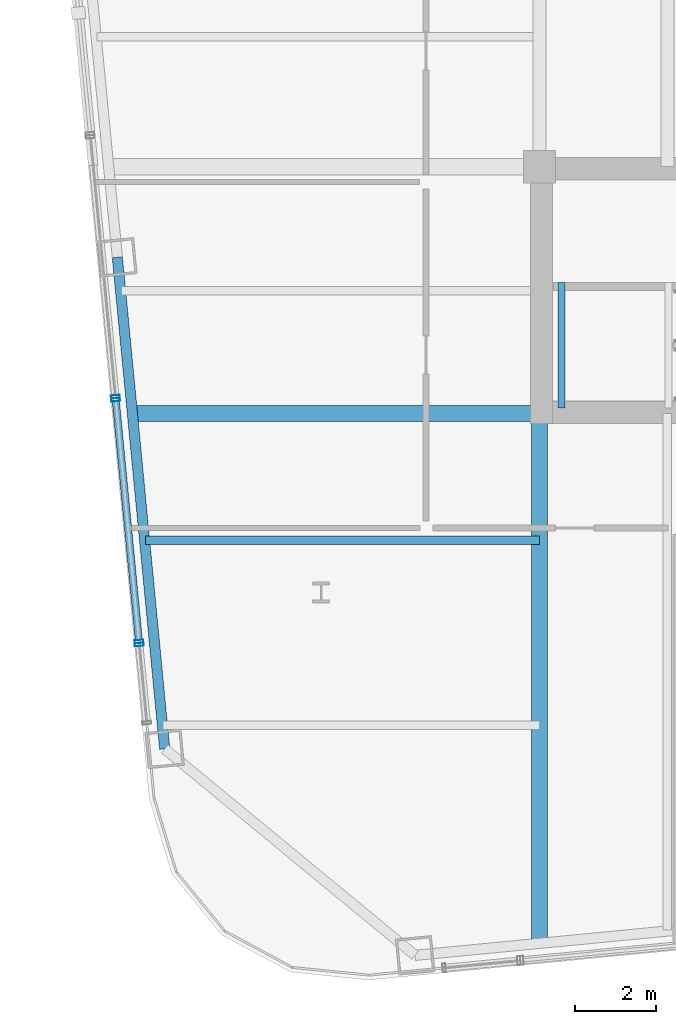
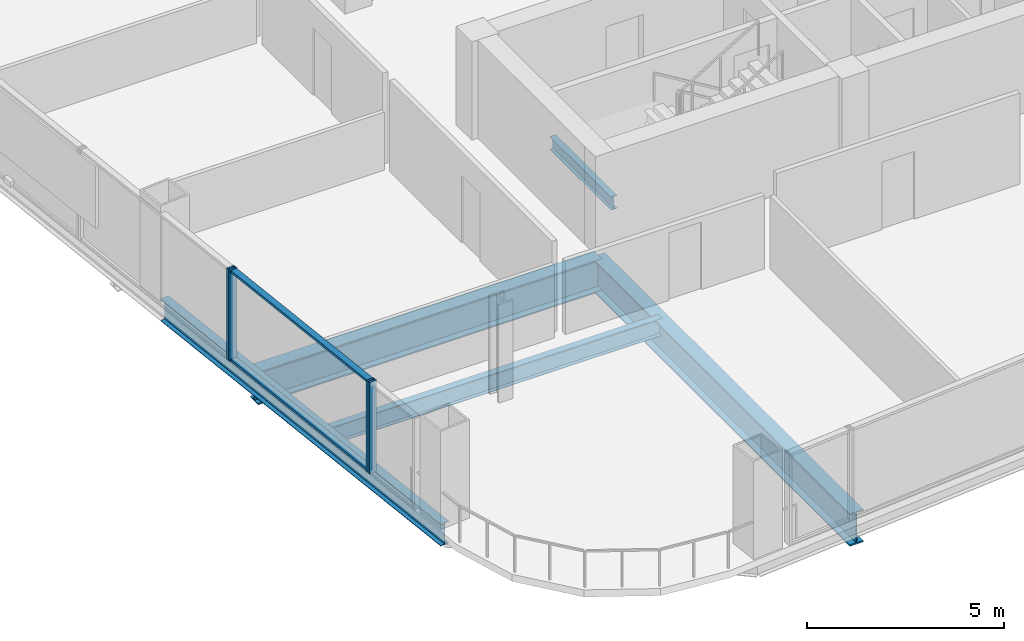
# One storey, part 3 of 28: 6 members, 5 beams, 3 elements without a shape of their own.
"""IFC4 building model written with IfcOpenShell, lengths in metres."""

from ifc_helpers import new_model, si_unit, direction, frame, origin, origin_2d, place, context, subcontext, project, spatial, hollow_rectangle, i_section, extrude, material, layer, layer_set, material_profile, profile_set, type_object, element, aggregate, save


model = new_model("IFC4")

# Units and contexts
model_context = context("Model", 3, precision=1e-05, world=origin(), true_north=direction((0.0, 1.0)))
body_context = subcontext(model_context, "Body", "Model", "MODEL_VIEW")
ifc_project = project(units=[si_unit("LENGTHUNIT", "METRE"), si_unit("AREAUNIT", "SQUARE_METRE"), si_unit("VOLUMEUNIT", "CUBIC_METRE"), si_unit("PLANEANGLEUNIT", "RADIAN"), si_unit("MASSUNIT", "GRAM", prefix="KILO")], contexts=[model_context])

# Site, building, storey
site_placement = place(None, origin())
site = spatial("IfcSite", under=ifc_project, at=site_placement, CompositionType="ELEMENT")
building_placement = place(site_placement, origin())
building = spatial("IfcBuilding", under=site, at=building_placement, Name="Qhalaya Broadcast Tower", CompositionType="ELEMENT")
storey_placement = place(building_placement, frame((0.0, 0.0, 90.800048828125)))
storey = spatial("IfcBuildingStorey", under=building, at=storey_placement, Name="L26", CompositionType="ELEMENT", Elevation=90.800048828125)

# Beams
ifc_material_1 = material(Name="Structural Steel ASTM A992 Grade 50", Category="steel")
ifc_material_profile_1 = material_profile(ifc_material_1, i_section(OverallWidth=0.2099609375, OverallDepth=0.535888671875, WebThickness=0.010986328125, FlangeThickness=0.017333984375, at=origin_2d()), Name="W21X68")
ifc_profile_set_1 = profile_set([ifc_material_profile_1], Name="Structural Steel ASTM A992 Grade 50")
beam_type_1 = type_object("IfcBeamType", Name="Composite Floor Joist J02", PredefinedType="JOIST", material=ifc_profile_set_1)
beam_1_placement = place(storey_placement, frame((-19.164794921875, -11.89990234375, -0.488037109375), z_axis=(1.0, 0.0, 0.0), x_axis=(0.0, 1.0, 0.0)))
element("IfcBeam", 1, at=beam_1_placement, inside=storey, type_object=beam_type_1, Name="L26 J02 L26-JWE2W-1", PredefinedType="JOIST", context=body_context, shape_type="SweptSolid", body=[
    extrude(i_section(OverallWidth=0.2099609375, OverallDepth=0.535888671875, WebThickness=0.010986328125, FlangeThickness=0.017333984375, at=origin_2d()), origin(), (0.0, 0.0, 1.0), 9.789794921875),
])
ifc_material_profile_2 = material_profile(ifc_material_1, i_section(OverallWidth=0.40087890625, OverallDepth=1.010986328125, WebThickness=0.023681640625, FlangeThickness=0.0419921875, at=origin_2d()), Name="W40X297")
ifc_profile_set_2 = profile_set([ifc_material_profile_2], Name="Structural Steel ASTM A992 Grade 50")
beam_type_2 = type_object("IfcBeamType", Name="Lower Block Primary Girder PG2", PredefinedType="USERDEFINED", material=ifc_profile_set_2)
beam_2_placement = place(storey_placement, frame((-9.375, -21.89501953125, -0.7255859375), z_axis=(0.0, 1.0, 0.0), x_axis=(-1.0, 0.0, 0.0)))
element("IfcBeam", 2, at=beam_2_placement, inside=storey, type_object=beam_type_2, Name="L26 PG2 L26-PGXS1-1", ObjectType="GIRDER", PredefinedType="USERDEFINED", context=body_context, shape_type="SweptSolid", body=[
    extrude(i_section(OverallWidth=0.40087890625, OverallDepth=1.010986328125, WebThickness=0.023681640625, FlangeThickness=0.0419921875, at=origin_2d()), origin(), (0.0, 0.0, 1.0), 13.14501953125),
])
beam_3_placement = place(storey_placement, frame((-19.468017578125, -8.75, -0.7255859375), z_axis=(1.0, 0.0, 0.0), x_axis=(0.0, 1.0, 0.0)))
element("IfcBeam", 3, at=beam_3_placement, inside=storey, type_object=beam_type_2, Name="L26 PG2 L26-PGYW1-1", ObjectType="GIRDER", PredefinedType="USERDEFINED", context=body_context, shape_type="SweptSolid", body=[
    extrude(i_section(OverallWidth=0.40087890625, OverallDepth=1.010986328125, WebThickness=0.023681640625, FlangeThickness=0.0419921875, at=origin_2d()), origin(), (0.0, 0.0, 1.0), 10.093017578125),
])
ifc_material_profile_3 = material_profile(ifc_material_1, i_section(OverallWidth=0.25390625, OverallDepth=0.68310546875, WebThickness=0.012451171875, FlangeThickness=0.01904296875, at=origin_2d()), Name="W27X94")
ifc_profile_set_3 = profile_set([ifc_material_profile_3], Name="Structural Steel ASTM A992 Grade 50")
beam_type_3 = type_object("IfcBeamType", Name="Perimeter Ring Spandrel Beam SP1", PredefinedType="SPANDREL", material=ifc_profile_set_3)
beam_4_placement = place(storey_placement, frame((-19.861083984375, -4.875, -0.5615234375), z_axis=(0.095831866369, -0.995397535354, 0.0), x_axis=(0.995397535354, 0.095831866369, 0.0)))
element("IfcBeam", 4, at=beam_4_placement, inside=storey, type_object=beam_type_3, Name="L26 SP1 L26-SPR-15", PredefinedType="SPANDREL", context=body_context, shape_type="SweptSolid", body=[
    extrude(i_section(OverallWidth=0.25390625, OverallDepth=0.68310546875, WebThickness=0.012451171875, FlangeThickness=0.01904296875, at=origin_2d()), origin(), (0.0, 0.0, 1.0), 12.2666015625),
])

# Curtain wall, member
ifc_material_2 = material(Name="Solar-Control Low-E Triple Glazing", Category="glass")
ifc_layer_1 = layer(ifc_material_2, 0.219970703125, Name="Solar-Control Low-E Triple Glazing")
ifc_layer_set_1 = layer_set([ifc_layer_1], Name="Solar-Control Low-E Triple Glazing")
curtain_wall_type_1 = type_object("IfcCurtainWallType", Name="Even-Block 4-Storey Double-Module Curtain Wall CW-03", PredefinedType="NOTDEFINED", material=ifc_layer_set_1)
curtain_wall_1_placement = place(storey_placement, origin())
curtain_wall_1 = element("IfcCurtainWall", 5, at=curtain_wall_1_placement, inside=storey, type_object=curtain_wall_type_1, Name="L26 Unitised Curtain Wall L26-CW-W5", PredefinedType="NOTDEFINED")
ifc_material_3 = material(Name="Anodised Aluminium 6063-T6", Category="aluminium")
ifc_material_profile_4 = material_profile(ifc_material_3, hollow_rectangle(XDim=0.074951171875, YDim=0.219970703125, WallThickness=0.00390625, at=origin_2d()), Name="ALU-MUL 75x220x4")
ifc_profile_set_4 = profile_set([ifc_material_profile_4], Name="Anodised Aluminium 6063-T6")
member_type_1 = type_object("IfcMemberType", Name="Unitised Curtain-Wall Mullion M01", PredefinedType="MULLION", material=ifc_profile_set_4)
member_1_placement = place(storey_placement, frame((-19.90966796875, -8.336669921875, 0.0), z_axis=(0.0, 0.0, 1.0), x_axis=(0.095852453314, -0.995395553131, 0.0)))
member_1 = element("IfcMember", 6, at=member_1_placement, type_object=member_type_1, Name="CW-03 mullion 2", PredefinedType="MULLION", context=body_context, shape_type="SweptSolid", body=[
    extrude(hollow_rectangle(XDim=0.074951171875, YDim=0.219970703125, WallThickness=0.00390625, at=origin_2d()), origin(), (0.0, 0.0, 1.0), 2.829833984375),
])
aggregate(curtain_wall_1, [member_1])

# Curtain wall, members
ifc_material_4 = material(Name="Fired Architectural Terracotta", Category="masonry")
ifc_layer_2 = layer(ifc_material_4, 0.219970703125, Name="Fired Architectural Terracotta")
ifc_layer_set_2 = layer_set([ifc_layer_2], Name="Fired Architectural Terracotta")
curtain_wall_type_2 = type_object("IfcCurtainWallType", Name="Block-Cap Unitised Terracotta Spandrel Wall CW-07", PredefinedType="NOTDEFINED", material=ifc_layer_set_2)
curtain_wall_2_placement = place(storey_placement, origin())
curtain_wall_2 = element("IfcCurtainWall", 7, at=curtain_wall_2_placement, inside=storey, type_object=curtain_wall_type_2, Name="L26 Unitised Curtain Wall L26-CW-W6", PredefinedType="NOTDEFINED")
member_2_placement = place(storey_placement, frame((-19.90234375, -8.411376953125, 0.0), z_axis=(0.0, 0.0, 1.0), x_axis=(0.095841848125, -0.99539657431, 0.0)))
member_2 = element("IfcMember", 8, at=member_2_placement, type_object=member_type_1, Name="CW-07 mullion 1", PredefinedType="MULLION", context=body_context, shape_type="SweptSolid", body=[
    extrude(hollow_rectangle(XDim=0.074951171875, YDim=0.219970703125, WallThickness=0.00390625, at=origin_2d()), origin(), (0.0, 0.0, 1.0), 2.829833984375),
])
member_3_placement = place(storey_placement, frame((-19.323974609375, -14.41748046875, 0.0), z_axis=(0.0, 0.0, 1.0), x_axis=(0.095841848125, -0.99539657431, 0.0)))
member_3 = element("IfcMember", 9, at=member_3_placement, type_object=member_type_1, Name="CW-07 mullion 2", PredefinedType="MULLION", context=body_context, shape_type="SweptSolid", body=[
    extrude(hollow_rectangle(XDim=0.074951171875, YDim=0.219970703125, WallThickness=0.00390625, at=origin_2d()), origin(), (0.0, 0.0, 1.0), 2.829833984375),
])

# Curtain wall, member
curtain_wall_3_placement = place(storey_placement, origin())
curtain_wall_3 = element("IfcCurtainWall", 10, at=curtain_wall_3_placement, inside=storey, type_object=curtain_wall_type_1, Name="L26 Unitised Curtain Wall L26-CW-W7", PredefinedType="NOTDEFINED")
member_4_placement = place(storey_placement, frame((-19.31689453125, -14.4921875, 0.0), z_axis=(0.0, 0.0, 1.0), x_axis=(0.095857964978, -0.995395022366, 0.0)))
member_4 = element("IfcMember", 11, at=member_4_placement, type_object=member_type_1, Name="CW-03 mullion 1", PredefinedType="MULLION", context=body_context, shape_type="SweptSolid", body=[
    extrude(hollow_rectangle(XDim=0.074951171875, YDim=0.219970703125, WallThickness=0.00390625, at=origin_2d()), origin(), (0.0, 0.0, 1.0), 2.829833984375),
])
aggregate(curtain_wall_3, [member_4])

# Member
ifc_material_profile_5 = material_profile(ifc_material_3, hollow_rectangle(XDim=0.074951171875, YDim=0.179931640625, WallThickness=0.00390625, at=origin_2d()), Name="ALU-TRN 75x180x4")
ifc_profile_set_5 = profile_set([ifc_material_profile_5], Name="Anodised Aluminium 6063-T6")
member_type_2 = type_object("IfcMemberType", Name="Unitised Curtain-Wall Transom T01", PredefinedType="USERDEFINED", material=ifc_profile_set_5)
member_5_placement = place(storey_placement, frame((-19.89892578125, -8.44873046875, 0.037353515625), z_axis=(0.095872446542, -0.995393627664, 0.0), x_axis=(0.0, 0.0, 1.0)))
member_5 = element("IfcMember", 12, at=member_5_placement, type_object=member_type_2, Name="CW-07 transom 1.1", ObjectType="TRANSOM", PredefinedType="USERDEFINED", context=body_context, shape_type="SweptSolid", body=[
    extrude(hollow_rectangle(XDim=0.074951171875, YDim=0.179931640625, WallThickness=0.00390625, at=origin_2d()), origin(), (0.0, 0.0, 1.0), 5.958740234375),
])

member_6_placement = place(storey_placement, frame((-19.89892578125, -8.44873046875, 2.79248046875), z_axis=(0.095872446542, -0.995393627664, 0.0), x_axis=(0.0, 0.0, 1.0)))
member_6 = element("IfcMember", 13, at=member_6_placement, type_object=member_type_2, Name="CW-07 transom 1.2", ObjectType="TRANSOM", PredefinedType="USERDEFINED", context=body_context, shape_type="SweptSolid", body=[
    extrude(hollow_rectangle(XDim=0.074951171875, YDim=0.179931640625, WallThickness=0.00390625, at=origin_2d()), origin(), (0.0, 0.0, 1.0), 5.958740234375),
])

aggregate(curtain_wall_2, [member_2, member_3, member_5, member_6])

# Beam
ifc_material_profile_6 = material_profile(ifc_material_1, i_section(OverallWidth=0.177978515625, OverallDepth=0.406005859375, WebThickness=0.0078125, FlangeThickness=0.0126953125, at=origin_2d()), Name="W16X40")
ifc_profile_set_6 = profile_set([ifc_material_profile_6], Name="Structural Steel ASTM A992 Grade 50")
beam_type_4 = type_object("IfcBeamType", Name="Upper Perimeter Spandrel Beam SP2", PredefinedType="SPANDREL", material=ifc_profile_set_6)
beam_5_placement = place(storey_placement, frame((-8.830078125, -8.6201171875, 1.1220703125), z_axis=(0.0, 1.0, 0.0), x_axis=(-1.0, 0.0, 0.0)))
element("IfcBeam", 14, at=beam_5_placement, inside=storey, type_object=beam_type_4, Name="L26 ST-2 Half-Landing Bearer Beam 1", PredefinedType="SPANDREL", context=body_context, shape_type="SweptSolid", body=[
    extrude(i_section(OverallWidth=0.177978515625, OverallDepth=0.406005859375, WebThickness=0.0078125, FlangeThickness=0.0126953125, at=origin_2d()), origin(), (0.0, 0.0, 1.0), 3.1201171875),
])

save(model, "model.ifc")
